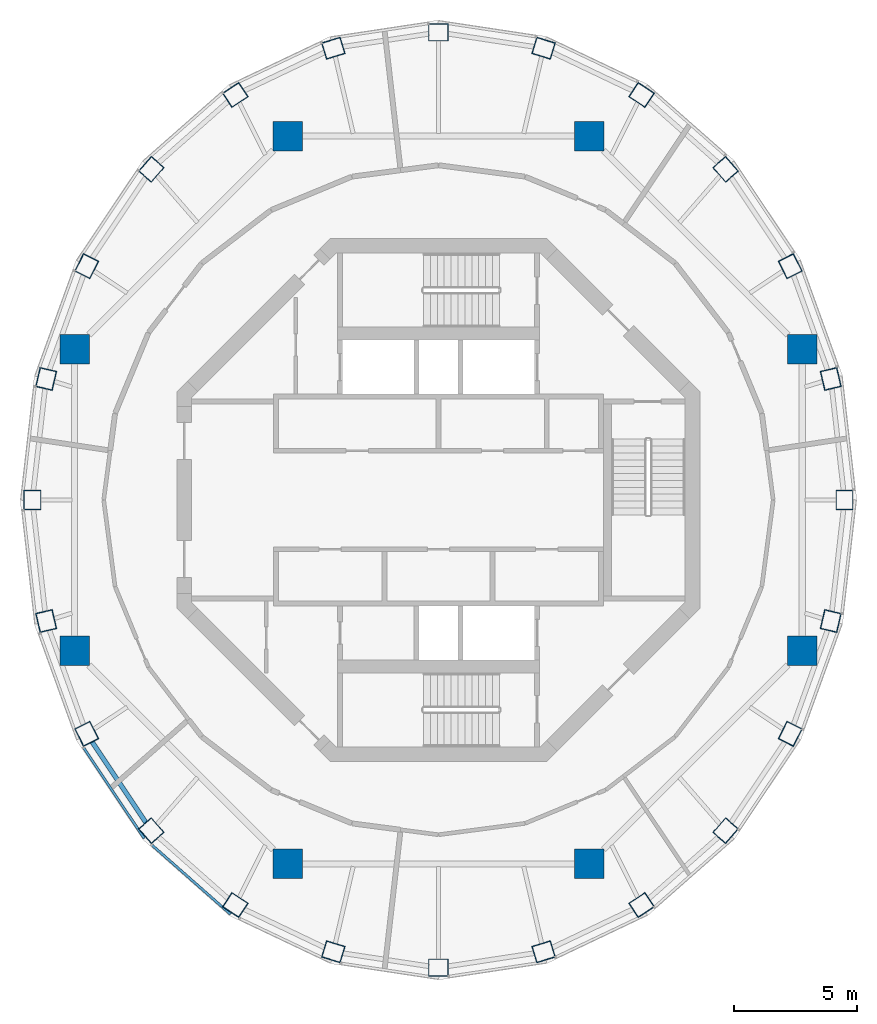
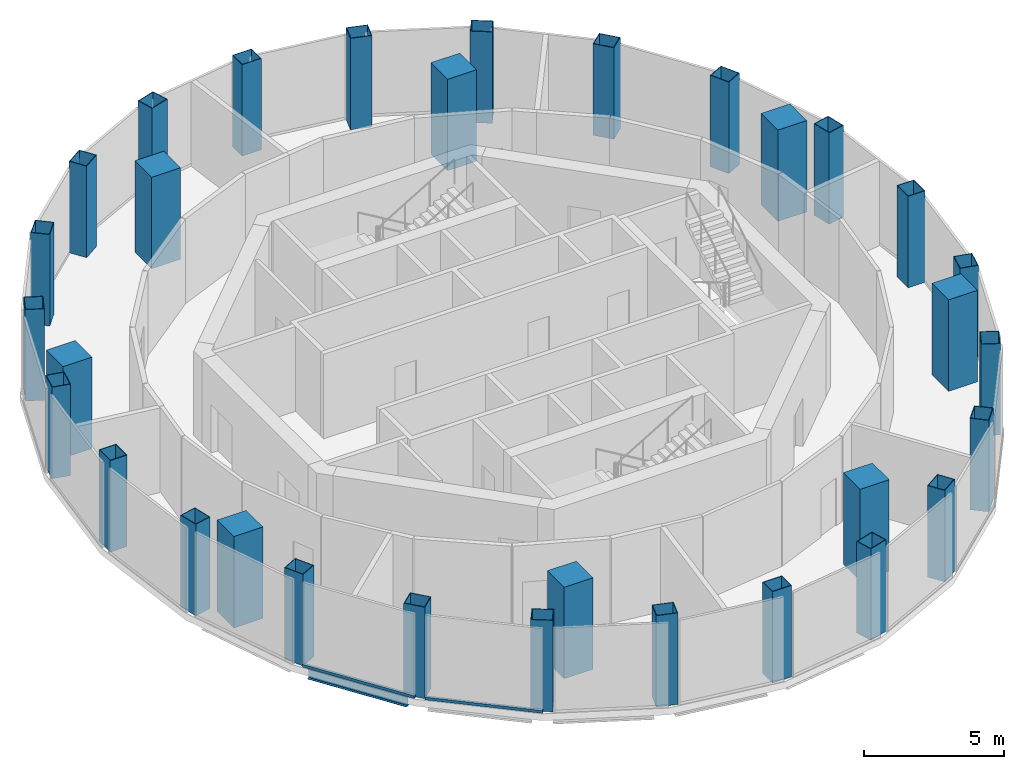
# One storey, part 1 of 11: 32 columns, 2 members, 1 beam, 2 elements without a shape of their own.
"""IFC4 building model written with IfcOpenShell, lengths in metres."""

from ifc_helpers import new_model, si_unit, direction, frame, origin, origin_2d, place, context, subcontext, project, spatial, rectangle, hollow_rectangle, i_section, extrude, material, layer, layer_set, material_profile, profile_set, type_object, element, aggregate, save


model = new_model("IFC4")

# Units and contexts
model_context = context("Model", 3, precision=1e-05, world=origin(), true_north=direction((0.0, 1.0)))
body_context = subcontext(model_context, "Body", "Model", "MODEL_VIEW")
ifc_project = project(units=[si_unit("LENGTHUNIT", "METRE"), si_unit("AREAUNIT", "SQUARE_METRE"), si_unit("VOLUMEUNIT", "CUBIC_METRE"), si_unit("PLANEANGLEUNIT", "RADIAN"), si_unit("MASSUNIT", "GRAM", prefix="KILO")], contexts=[model_context])

# Site, building, storey
site_placement = place(None, origin())
site = spatial("IfcSite", under=ifc_project, at=site_placement, CompositionType="ELEMENT")
building_placement = place(site_placement, origin())
building = spatial("IfcBuilding", under=site, at=building_placement, Name="Nagisa Residences", CompositionType="ELEMENT")
storey_placement = place(building_placement, frame((0.0, 0.0, 332.89990234375)))
storey = spatial("IfcBuildingStorey", under=building, at=storey_placement, Name="L82", CompositionType="ELEMENT", Elevation=332.89990234375)

# Columns
ifc_material_1 = material(Name="Concrete C80", Category="concrete")
ifc_material_profile_1 = material_profile(ifc_material_1, rectangle(XDim=1.199951171875, YDim=1.199951171875, at=origin_2d()), Name="C80 1200x1200")
ifc_profile_set_1 = profile_set([ifc_material_profile_1], Name="Concrete C80")
column_type_1 = type_object("IfcColumnType", Name="Inner megacolumn C80 1200x1200", PredefinedType="COLUMN", material=ifc_profile_set_1)
for number, where, z_axis, x_axis, name in (
    (1, (14.781982421875, 6.123046875, 0.0), (0.0, 0.0, 1.0), (1.0, 0.0, 0.0), "col:L82:i1"),
    (2, (6.123046875, 14.781982421875, 0.0), (0.0, 0.0, 1.0), (1.0, 0.0, 0.0), "col:L82:i2"),
    (3, (-6.123046875, 14.781982421875, 0.0), (0.0, 0.0, 1.0), (1.0, 0.0, 0.0), "col:L82:i3"),
    (4, (-14.781982421875, 6.123046875, 0.0), (0.0, 0.0, 1.0), (1.0, 0.0, 0.0), "col:L82:i4"),
    (5, (-14.781982421875, -6.123046875, 0.0), (0.0, 0.0, 1.0), (1.0, 0.0, 0.0), "col:L82:i5"),
    (6, (-6.123046875, -14.781982421875, 0.0), (0.0, 0.0, 1.0), (1.0, 0.0, 0.0), "col:L82:i6"),
    (7, (6.123046875, -14.781982421875, 0.0), (0.0, 0.0, 1.0), (1.0, 0.0, 0.0), "col:L82:i7"),
    (8, (14.781982421875, -6.123046875, 0.0), (0.0, 0.0, 1.0), (1.0, 0.0, 0.0), "col:L82:i8"),
):
    element("IfcColumn", number, at=place(storey_placement, frame(where, z_axis=z_axis, x_axis=x_axis)), inside=storey, type_object=column_type_1, Name=name, PredefinedType="COLUMN", context=body_context, shape_type="SweptSolid", body=[
        extrude(rectangle(XDim=1.199951171875, YDim=1.199951171875, at=origin_2d()), origin(), (0.0, 0.0, 1.0), 4.0),
    ])
ifc_material_2 = material(Name="Steel ASTM A572 Gr 50", Category="steel")
ifc_material_profile_2 = material_profile(ifc_material_2, hollow_rectangle(XDim=0.800048828125, YDim=0.699951171875, WallThickness=0.02490234375, at=origin_2d()), Name="BX 800x700x25")
ifc_profile_set_2 = profile_set([ifc_material_profile_2], Name="Steel ASTM A572 Gr 50")
column_type_2 = type_object("IfcColumnType", Name="Perimeter column BX 800x700x25", PredefinedType="COLUMN", material=ifc_profile_set_2)
for number, where, z_axis, x_axis, name in (
    (9, (16.5, 0.0, 0.0), (0.0, 0.0, 1.0), (0.0, 1.0, 0.0), "col:L82:p00"),
    (10, (15.937744140625, 4.91748046875, 0.0), (0.0, 0.0, 1.0), (-0.227472858308, 0.973784421077, 0.0), "col:L82:p01"),
    (11, (14.289306640625, 9.5, 0.0), (0.0, 0.0, 1.0), (-0.449592304298, 0.893233877502, 0.0), "col:L82:p02"),
    (12, (11.667236328125, 13.43505859375, 0.0), (0.0, 0.0, 1.0), (-0.657135200433, 0.753772729907, 0.0), "col:L82:p03"),
    (13, (8.25, 16.45458984375, 0.0), (0.0, 0.0, 1.0), (-0.833744136063, 0.552150989839, 0.0), "col:L82:p04"),
    (14, (4.2705078125, 18.3525390625, 0.0), (0.0, 0.0, 1.0), (-0.955869996667, 0.293789975104, 0.0), "col:L82:p05"),
    (15, (0.0, 19.0, 0.0), (0.0, 0.0, 1.0), (-1.0, 0.0, 0.0), "col:L82:p06"),
    (16, (-4.2705078125, 18.3525390625, 0.0), (0.0, 0.0, 1.0), (-0.955869996667, -0.293789975104, 0.0), "col:L82:p07"),
    (17, (-8.25, 16.45458984375, 0.0), (0.0, 0.0, 1.0), (-0.833744136063, -0.552150989839, 0.0), "col:L82:p08"),
    (18, (-11.667236328125, 13.43505859375, 0.0), (0.0, 0.0, 1.0), (-0.657135200433, -0.753772729907, 0.0), "col:L82:p09"),
    (19, (-14.289306640625, 9.5, 0.0), (0.0, 0.0, 1.0), (-0.449592304298, -0.893233877502, 0.0), "col:L82:p10"),
    (20, (-15.937744140625, 4.91748046875, 0.0), (0.0, 0.0, 1.0), (-0.227472858308, -0.973784421077, 0.0), "col:L82:p11"),
    (21, (-16.5, 0.0, 0.0), (0.0, 0.0, 1.0), (0.0, -1.0, 0.0), "col:L82:p12"),
    (22, (-15.937744140625, -4.91748046875, 0.0), (0.0, 0.0, 1.0), (0.227472858308, -0.973784421077, 0.0), "col:L82:p13"),
    (23, (-14.289306640625, -9.5, 0.0), (0.0, 0.0, 1.0), (0.449592304298, -0.893233877502, 0.0), "col:L82:p14"),
    (24, (-11.667236328125, -13.43505859375, 0.0), (0.0, 0.0, 1.0), (0.657135200433, -0.753772729907, 0.0), "col:L82:p15"),
    (25, (-8.25, -16.45458984375, 0.0), (0.0, 0.0, 1.0), (0.833744136063, -0.552150989839, 0.0), "col:L82:p16"),
    (26, (-4.2705078125, -18.3525390625, 0.0), (0.0, 0.0, 1.0), (0.955869996667, -0.293789975104, 0.0), "col:L82:p17"),
    (27, (0.0, -19.0, 0.0), (0.0, 0.0, 1.0), (1.0, 0.0, 0.0), "col:L82:p18"),
    (28, (4.2705078125, -18.3525390625, 0.0), (0.0, 0.0, 1.0), (0.955869996667, 0.293789975104, 0.0), "col:L82:p19"),
    (29, (8.25, -16.45458984375, 0.0), (0.0, 0.0, 1.0), (0.833744136063, 0.552150989839, 0.0), "col:L82:p20"),
    (30, (11.667236328125, -13.43505859375, 0.0), (0.0, 0.0, 1.0), (0.657135200433, 0.753772729907, 0.0), "col:L82:p21"),
    (31, (14.289306640625, -9.5, 0.0), (0.0, 0.0, 1.0), (0.449592304298, 0.893233877502, 0.0), "col:L82:p22"),
    (32, (15.937744140625, -4.91748046875, 0.0), (0.0, 0.0, 1.0), (0.227472858308, 0.973784421077, 0.0), "col:L82:p23"),
):
    element("IfcColumn", number, at=place(storey_placement, frame(where, z_axis=z_axis, x_axis=x_axis)), inside=storey, type_object=column_type_2, Name=name, PredefinedType="COLUMN", context=body_context, shape_type="SweptSolid", body=[
        extrude(hollow_rectangle(XDim=0.800048828125, YDim=0.699951171875, WallThickness=0.02490234375, at=origin_2d()), origin(), (0.0, 0.0, 1.0), 4.0),
    ])

# Curtain wall, member
ifc_material_3 = material(Name="Aluminium curtain wall system", Category="aluminium")
ifc_layer = layer(ifc_material_3, 0.159912109375)
ifc_layer_set = layer_set([ifc_layer], Name="CW5 CURTAIN WALL")
curtain_wall_type = type_object("IfcCurtainWallType", Name="CW5 CURTAIN WALL", PredefinedType="NOTDEFINED", material=ifc_layer_set)
curtain_wall_1_placement = place(storey_placement, origin())
curtain_wall_1 = element("IfcCurtainWall", 33, at=curtain_wall_1_placement, inside=storey, type_object=curtain_wall_type, Name="cw:CW5:L82:14", PredefinedType="NOTDEFINED")
ifc_material_4 = material(Name="Aluminium", Category="aluminium")
ifc_material_profile_3 = material_profile(ifc_material_4, rectangle(XDim=0.10009765625, YDim=0.1201171875, at=origin_2d()), Name="CW5 TRANSOM 100x120")
ifc_profile_set_3 = profile_set([ifc_material_profile_3], Name="Aluminium")
member_type = type_object("IfcMemberType", Name="CW5 TRANSOM 100x120", PredefinedType="USERDEFINED", material=ifc_profile_set_3)
member_1_placement = place(storey_placement, frame((-14.43359375, -10.0380859375, 0.06005859375), z_axis=(0.556026221044, -0.831164749921, 0.0), x_axis=(0.831164749921, 0.556026221044, 0.0)))
member_1 = element("IfcMember", 34, at=member_1_placement, type_object=member_type, Name="CW5 transom", ObjectType="TRANSOM", PredefinedType="USERDEFINED", context=body_context, shape_type="SweptSolid", body=[
    extrude(rectangle(XDim=0.10009765625, YDim=0.1201171875, at=origin_2d()), origin(), (0.0, 0.0, 1.0), 4.458984375),
])
aggregate(curtain_wall_1, [member_1])

curtain_wall_2_placement = place(storey_placement, origin())
curtain_wall_2 = element("IfcCurtainWall", 35, at=curtain_wall_2_placement, inside=storey, type_object=curtain_wall_type, Name="cw:CW5:L82:15", PredefinedType="NOTDEFINED")
member_2_placement = place(storey_placement, frame((-11.667724609375, -13.992919921875, 0.06005859375), z_axis=(0.750659327094, -0.660689469151, 0.0), x_axis=(0.660689469151, 0.750659327094, 0.0)))
member_2 = element("IfcMember", 36, at=member_2_placement, type_object=member_type, Name="CW5 transom", ObjectType="TRANSOM", PredefinedType="USERDEFINED", context=body_context, shape_type="SweptSolid", body=[
    extrude(rectangle(XDim=0.10009765625, YDim=0.1201171875, at=origin_2d()), origin(), (0.0, 0.0, 1.0), 4.290283203125),
])
aggregate(curtain_wall_2, [member_2])

# Beam
ifc_material_5 = material(Name="Steel ASTM A572 Gr 50", Category="steel")
ifc_material_profile_4 = material_profile(ifc_material_5, i_section(OverallWidth=0.18994140625, OverallDepth=0.45703125, WebThickness=0.009033203125, FlangeThickness=0.014404296875, at=origin_2d()), Name="W460x74")
ifc_profile_set_4 = profile_set([ifc_material_profile_4], Name="Steel ASTM A572 Gr 50")
beam_type = type_object("IfcBeamType", Name="Perimeter ring beam W460x74", PredefinedType="BEAM", material=ifc_profile_set_4)
beam_placement = place(storey_placement, frame((-14.0771484375, -9.818603515625, -0.5283203125), z_axis=(0.554529560082, -0.832164026497, 0.0), x_axis=(0.832164026497, 0.554529560082, 0.0)))
element("IfcBeam", 37, at=beam_placement, inside=storey, type_object=beam_type, Name="beam:L82:pb15", PredefinedType="BEAM", context=body_context, shape_type="SweptSolid", body=[
    extrude(i_section(OverallWidth=0.18994140625, OverallDepth=0.45703125, WebThickness=0.009033203125, FlangeThickness=0.014404296875, at=origin_2d()), origin(), (0.0, 0.0, 1.0), 3.96240234375),
])

save(model, "model.ifc")
